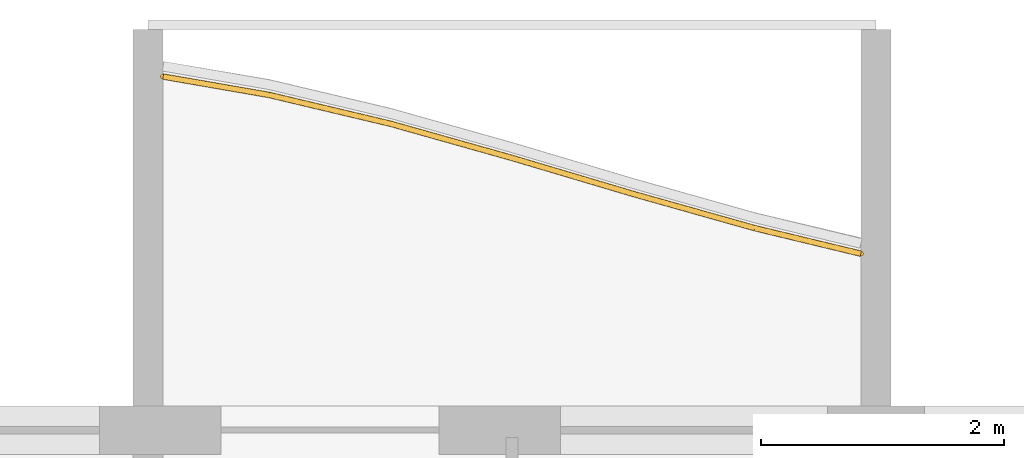
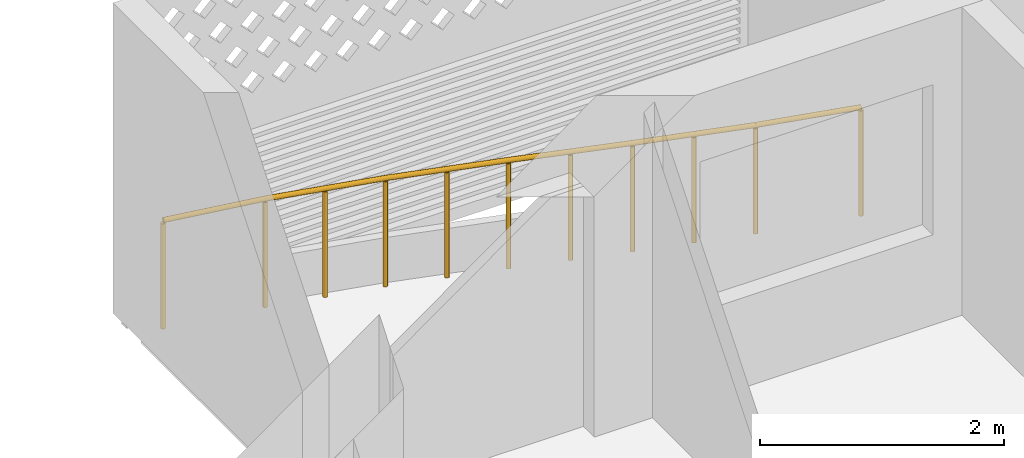
# One storey, part 20 of 27: 1 railing.
"""IFC4 building model written with IfcOpenShell, lengths in metres."""

from ifc_helpers import new_model, si_unit, direction, frame, origin, origin_2d, place, context, subcontext, project, spatial, circle, extrude, material, type_object, element, save


model = new_model("IFC4")

# Units and contexts
model_context = context("Model", 3, precision=1e-05, world=origin(), true_north=direction((0.0, 1.0)))
body_context = subcontext(model_context, "Body", "Model", "MODEL_VIEW")
ifc_project = project(units=[si_unit("LENGTHUNIT", "METRE"), si_unit("AREAUNIT", "SQUARE_METRE"), si_unit("VOLUMEUNIT", "CUBIC_METRE"), si_unit("PLANEANGLEUNIT", "RADIAN"), si_unit("MASSUNIT", "GRAM", prefix="KILO")], contexts=[model_context])

# Site, building, storey
site_placement = place(None, origin())
site = spatial("IfcSite", under=ifc_project, at=site_placement, CompositionType="ELEMENT")
building_placement = place(site_placement, origin())
building = spatial("IfcBuilding", under=site, at=building_placement, Name="Poui Terraces", CompositionType="ELEMENT")
storey_placement = place(building_placement, frame((0.0, 0.0, 191.699951171875)))
storey = spatial("IfcBuildingStorey", under=building, at=storey_placement, Name="L53", CompositionType="ELEMENT", Elevation=191.699951171875)

# Railing
ifc_material = material(Name="Painted steel fretwork", Category="steel")
railing_type = type_object("IfcRailingType", Name="BALCONY GUARD 1100", PredefinedType="GUARDRAIL", material=ifc_material)
railing_placement = place(storey_placement, frame((42.125, 44.114013671875, 0.0)))
element("IfcRailing", 1, at=railing_placement, inside=storey, type_object=railing_type, Name="BALCONY GUARD", PredefinedType="GUARDRAIL", context=body_context, shape_type="SweptSolid", body=[
    extrude(circle(Radius=0.02392578125, at=origin_2d()), frame((0.0, 0.0, 1.076171875), z_axis=(0.985272223663, -0.170993114709, 0.0), x_axis=(0.170993114709, 0.985272223663, 0.0)), (0.0, 0.0, 1.0), 0.88818359375),
    extrude(circle(Radius=0.02392578125, at=origin_2d()), frame((0.875, -0.15185546875, 1.076171875), z_axis=(0.972979257535, -0.230892538653, 0.0), x_axis=(0.230892538653, 0.972979257535, 0.0)), (0.0, 0.0, 1.0), 1.02783203125),
    extrude(circle(Radius=0.02392578125, at=origin_2d()), frame((1.875, -0.38916015625, 1.076171875), z_axis=(0.962589664763, -0.270963350457, 0.0), x_axis=(0.270963350457, 0.962589664763, 0.0)), (0.0, 0.0, 1.0), 1.038818359375),
    extrude(circle(Radius=0.02392578125, at=origin_2d()), frame((2.875, -0.670654296875, 1.076171875), z_axis=(0.958646866278, -0.284598288426, 0.0), x_axis=(0.284598288426, 0.958646866278, 0.0)), (0.0, 0.0, 1.0), 1.043212890625),
    extrude(circle(Radius=0.02392578125, at=origin_2d()), frame((3.875, -0.967529296875, 1.076171875), z_axis=(0.962589664763, -0.270963350457, 0.0), x_axis=(0.270963350457, 0.962589664763, 0.0)), (0.0, 0.0, 1.0), 1.038818359375),
    extrude(circle(Radius=0.02392578125, at=origin_2d()), frame((4.875, -1.2490234375, 1.076171875), z_axis=(0.972212205077, -0.234101320586, 0.0), x_axis=(0.234101320586, 0.972212205077, 0.0)), (0.0, 0.0, 1.0), 0.89990234375),
    extrude(circle(Radius=0.02099609375, at=origin_2d()), origin(), (0.0, 0.0, 1.0), 1.052001953125),
    extrude(circle(Radius=0.02099609375, at=origin_2d()), frame((0.875, -0.15185546875, 0.0)), (0.0, 0.0, 1.0), 1.052001953125),
    extrude(circle(Radius=0.02099609375, at=origin_2d()), frame((1.375, -0.2705078125, 0.0)), (0.0, 0.0, 1.0), 1.052001953125),
    extrude(circle(Radius=0.02099609375, at=origin_2d()), frame((1.875, -0.38916015625, 0.0)), (0.0, 0.0, 1.0), 1.052001953125),
    extrude(circle(Radius=0.02099609375, at=origin_2d()), frame((2.375, -0.52978515625, 0.0)), (0.0, 0.0, 1.0), 1.052001953125),
    extrude(circle(Radius=0.02099609375, at=origin_2d()), frame((2.875, -0.670654296875, 0.0)), (0.0, 0.0, 1.0), 1.052001953125),
    extrude(circle(Radius=0.02099609375, at=origin_2d()), frame((3.375, -0.819091796875, 0.0)), (0.0, 0.0, 1.0), 1.052001953125),
    extrude(circle(Radius=0.02099609375, at=origin_2d()), frame((3.875, -0.967529296875, 0.0)), (0.0, 0.0, 1.0), 1.052001953125),
    extrude(circle(Radius=0.02099609375, at=origin_2d()), frame((4.375, -1.1083984375, 0.0)), (0.0, 0.0, 1.0), 1.052001953125),
    extrude(circle(Radius=0.02099609375, at=origin_2d()), frame((4.875, -1.2490234375, 0.0)), (0.0, 0.0, 1.0), 1.052001953125),
    extrude(circle(Radius=0.02099609375, at=origin_2d()), frame((5.75, -1.459716796875, 0.0)), (0.0, 0.0, 1.0), 1.052001953125),
])

save(model, "model.ifc")
